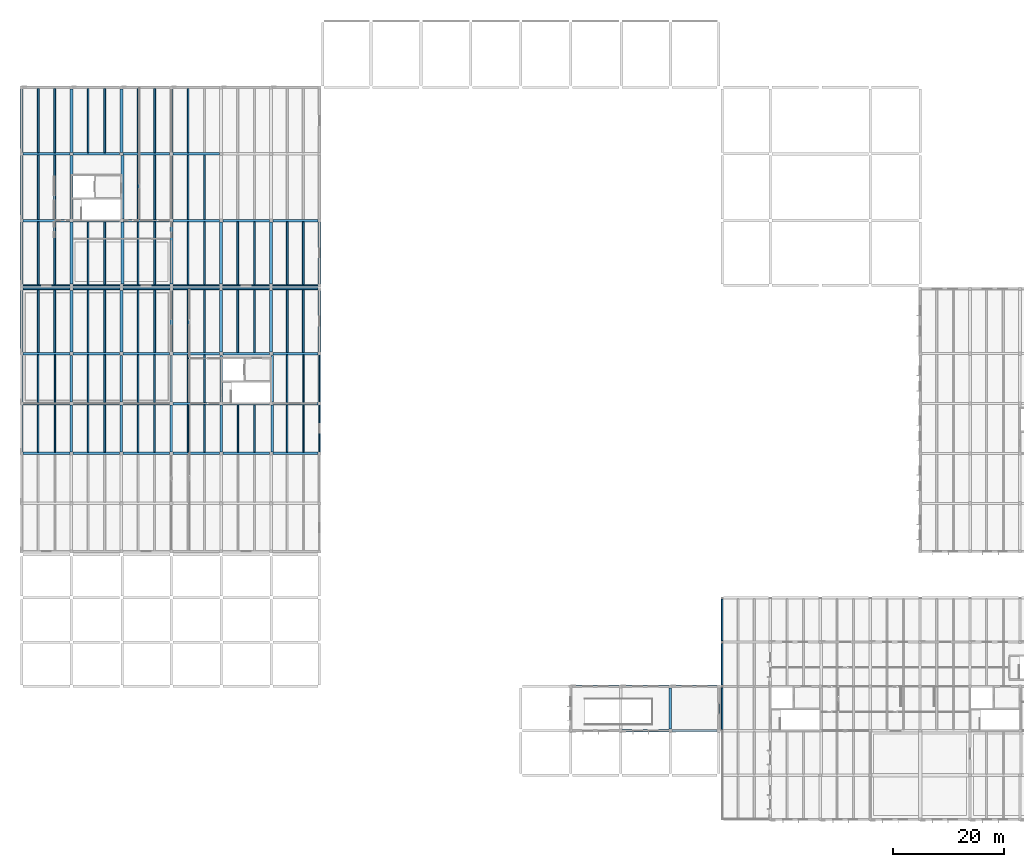
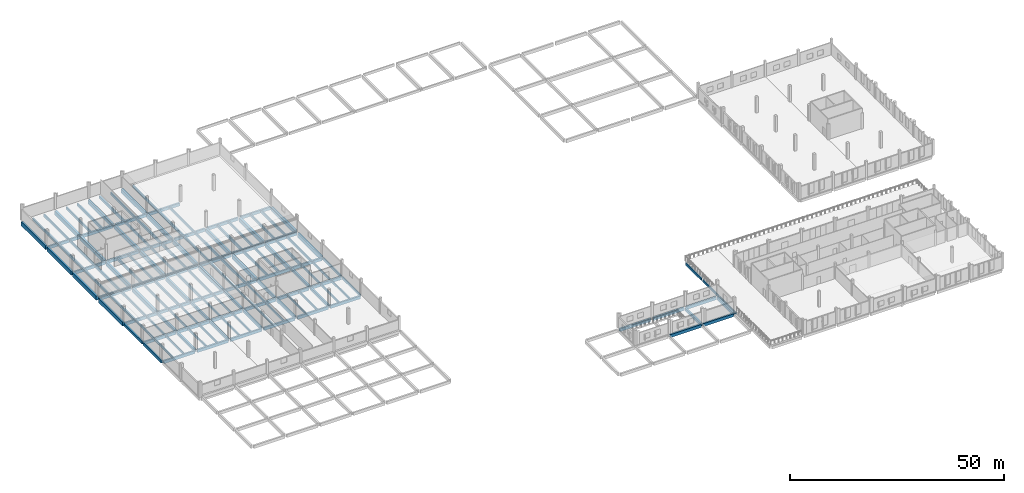
# One storey, part 4 of 25: 145 beams.
"""IFC4 building model written with IfcOpenShell, lengths in metres."""

from ifc_helpers import new_model, si_unit, direction, frame, origin, origin_2d, place, context, subcontext, project, spatial, rectangle, extrude, material, material_profile, profile_set, type_object, element, save


model = new_model("IFC4")

# Units and contexts
model_context = context("Model", 3, precision=1e-05, world=origin(), true_north=direction((0.0, 1.0)))
body_context = subcontext(model_context, "Body", "Model", "MODEL_VIEW")
ifc_project = project(units=[si_unit("LENGTHUNIT", "METRE"), si_unit("AREAUNIT", "SQUARE_METRE"), si_unit("VOLUMEUNIT", "CUBIC_METRE"), si_unit("PLANEANGLEUNIT", "RADIAN"), si_unit("MASSUNIT", "GRAM", prefix="KILO")], contexts=[model_context])

# Site, building, storey
site_placement = place(None, origin())
site = spatial("IfcSite", under=ifc_project, at=site_placement, CompositionType="ELEMENT")
building_placement = place(site_placement, origin())
building = spatial("IfcBuilding", under=site, at=building_placement, Name="Zacnel Wholesale Market", CompositionType="ELEMENT")
storey_placement = place(building_placement, frame((0.0, 0.0, 15.75)))
storey = spatial("IfcBuildingStorey", under=building, at=storey_placement, Name="L04", CompositionType="ELEMENT", Elevation=15.75)

# Beams
ifc_material_1 = material(Name="Precast concrete C45/55", Category="concrete")
ifc_material_profile_1 = material_profile(ifc_material_1, rectangle(XDim=0.280029296875, YDim=0.60009765625, at=origin_2d()), Name="DT RIB 280x600")
ifc_profile_set_1 = profile_set([ifc_material_profile_1], Name="Precast concrete C45/55")
beam_type_1 = type_object("IfcBeamType", Name="BM-DT600", PredefinedType="JOIST", material=ifc_profile_set_1)
for number, where, z_axis, x_axis, name in (
    (1, (21.0, 66.22509765625, -0.580078125), (0.0, 1.0, 0.0), (-1.0, 0.0, 0.0), "Precast secondary joist L04-0699"),
    (2, (24.0, 66.22509765625, -0.580078125), (0.0, 1.0, 0.0), (-1.0, 0.0, 0.0), "Precast secondary joist L04-0700"),
    (3, (30.0, 66.22509765625, -0.580078125), (0.0, 1.0, 0.0), (-1.0, 0.0, 0.0), "Precast secondary joist L04-0701"),
    (4, (33.0, 66.22509765625, -0.580078125), (0.0, 1.0, 0.0), (-1.0, 0.0, 0.0), "Precast secondary joist L04-0702"),
    (5, (39.0, 66.22509765625, -0.580078125), (0.0, 1.0, 0.0), (-1.0, 0.0, 0.0), "Precast secondary joist L04-0703"),
    (6, (42.0, 66.22509765625, -0.580078125), (0.0, 1.0, 0.0), (-1.0, 0.0, 0.0), "Precast secondary joist L04-0704"),
    (7, (48.0, 66.22509765625, -0.580078125), (0.0, 1.0, 0.0), (-1.0, 0.0, 0.0), "Precast secondary joist L04-0705"),
    (8, (51.0, 66.22509765625, -0.580078125), (0.0, 1.0, 0.0), (-1.0, 0.0, 0.0), "Precast secondary joist L04-0706"),
    (9, (57.0, 66.22509765625, -0.580078125), (0.0, 1.0, 0.0), (-1.0, 0.0, 0.0), "Precast secondary joist L04-0707"),
    (10, (60.0, 66.22509765625, -0.580078125), (0.0, 1.0, 0.0), (-1.0, 0.0, 0.0), "Precast secondary joist L04-0708"),
    (11, (65.89990234375, 66.22509765625, -0.580078125), (0.0, 1.0, 0.0), (-1.0, 0.0, 0.0), "Precast secondary joist L04-0709"),
    (12, (68.800048828125, 66.22509765625, -0.580078125), (0.0, 1.0, 0.0), (-1.0, 0.0, 0.0), "Precast secondary joist L04-0710"),
    (13, (21.0, 75.22509765625, -0.580078125), (0.0, 1.0, 0.0), (-1.0, 0.0, 0.0), "Precast secondary joist L04-0717"),
    (14, (24.0, 75.22509765625, -0.580078125), (0.0, 1.0, 0.0), (-1.0, 0.0, 0.0), "Precast secondary joist L04-0718"),
    (15, (30.0, 75.22509765625, -0.580078125), (0.0, 1.0, 0.0), (-1.0, 0.0, 0.0), "Precast secondary joist L04-0719"),
    (16, (33.0, 75.22509765625, -0.580078125), (0.0, 1.0, 0.0), (-1.0, 0.0, 0.0), "Precast secondary joist L04-0720"),
    (17, (39.0, 75.22509765625, -0.580078125), (0.0, 1.0, 0.0), (-1.0, 0.0, 0.0), "Precast secondary joist L04-0721"),
    (18, (42.0, 75.22509765625, -0.580078125), (0.0, 1.0, 0.0), (-1.0, 0.0, 0.0), "Precast secondary joist L04-0722"),
    (19, (48.0, 75.22509765625, -0.580078125), (0.0, 1.0, 0.0), (-1.0, 0.0, 0.0), "Precast secondary joist L04-0723"),
    (20, (51.0, 75.22509765625, -0.580078125), (0.0, 1.0, 0.0), (-1.0, 0.0, 0.0), "Precast secondary joist L04-0724"),
    (21, (65.89990234375, 75.22509765625, -0.580078125), (0.0, 1.0, 0.0), (-1.0, 0.0, 0.0), "Precast secondary joist L04-0725"),
    (22, (68.800048828125, 75.22509765625, -0.580078125), (0.0, 1.0, 0.0), (-1.0, 0.0, 0.0), "Precast secondary joist L04-0726"),
):
    element("IfcBeam", number, at=place(storey_placement, frame(where, z_axis=z_axis, x_axis=x_axis)), inside=storey, type_object=beam_type_1, Name=name, PredefinedType="JOIST", context=body_context, shape_type="SweptSolid", body=[
        extrude(rectangle(XDim=0.280029296875, YDim=0.60009765625, at=origin_2d()), origin(), (0.0, 0.0, 1.0), 8.5498046875),
    ])
ifc_material_2 = material(Name="Precast concrete C45/55", Category="concrete")
ifc_material_profile_2 = material_profile(ifc_material_2, rectangle(XDim=0.320068359375, YDim=0.75, at=origin_2d()), Name="DT RIB 320x750")
ifc_profile_set_2 = profile_set([ifc_material_profile_2], Name="Precast concrete C45/55")
beam_type_2 = type_object("IfcBeamType", Name="BM-DT750", PredefinedType="JOIST", material=ifc_profile_set_2)
for number, where, z_axis, x_axis, name in (
    (23, (21.0, 84.22509765625, -0.655029296875), (0.0, 1.0, 0.0), (-1.0, 0.0, 0.0), "Precast secondary joist L04-0735"),
    (24, (24.0, 84.22509765625, -0.655029296875), (0.0, 1.0, 0.0), (-1.0, 0.0, 0.0), "Precast secondary joist L04-0736"),
    (25, (30.0, 84.22509765625, -0.655029296875), (0.0, 1.0, 0.0), (-1.0, 0.0, 0.0), "Precast secondary joist L04-0737"),
    (26, (33.0, 84.22509765625, -0.655029296875), (0.0, 1.0, 0.0), (-1.0, 0.0, 0.0), "Precast secondary joist L04-0738"),
    (27, (39.0, 84.22509765625, -0.655029296875), (0.0, 1.0, 0.0), (-1.0, 0.0, 0.0), "Precast secondary joist L04-0739"),
    (28, (42.0, 84.22509765625, -0.655029296875), (0.0, 1.0, 0.0), (-1.0, 0.0, 0.0), "Precast secondary joist L04-0740"),
    (29, (48.0, 84.22509765625, -0.655029296875), (0.0, 1.0, 0.0), (-1.0, 0.0, 0.0), "Precast secondary joist L04-0741"),
    (30, (51.0, 84.22509765625, -0.655029296875), (0.0, 1.0, 0.0), (-1.0, 0.0, 0.0), "Precast secondary joist L04-0742"),
    (31, (57.0, 84.22509765625, -0.655029296875), (0.0, 1.0, 0.0), (-1.0, 0.0, 0.0), "Precast secondary joist L04-0743"),
    (32, (60.0, 84.22509765625, -0.655029296875), (0.0, 1.0, 0.0), (-1.0, 0.0, 0.0), "Precast secondary joist L04-0744"),
    (33, (65.89990234375, 84.22509765625, -0.655029296875), (0.0, 1.0, 0.0), (-1.0, 0.0, 0.0), "Precast secondary joist L04-0745"),
    (34, (68.800048828125, 84.22509765625, -0.655029296875), (0.0, 1.0, 0.0), (-1.0, 0.0, 0.0), "Precast secondary joist L04-0746"),
    (35, (21.0, 96.449951171875, -0.655029296875), (0.0, 1.0, 0.0), (-1.0, 0.0, 0.0), "Precast secondary joist L04-0755"),
    (36, (24.0, 96.449951171875, -0.655029296875), (0.0, 1.0, 0.0), (-1.0, 0.0, 0.0), "Precast secondary joist L04-0756"),
    (37, (30.0, 96.449951171875, -0.655029296875), (0.0, 1.0, 0.0), (-1.0, 0.0, 0.0), "Precast secondary joist L04-0757"),
    (38, (33.0, 96.449951171875, -0.655029296875), (0.0, 1.0, 0.0), (-1.0, 0.0, 0.0), "Precast secondary joist L04-0758"),
    (39, (39.0, 96.449951171875, -0.655029296875), (0.0, 1.0, 0.0), (-1.0, 0.0, 0.0), "Precast secondary joist L04-0759"),
    (40, (42.0, 96.449951171875, -0.655029296875), (0.0, 1.0, 0.0), (-1.0, 0.0, 0.0), "Precast secondary joist L04-0760"),
    (41, (48.0, 96.449951171875, -0.655029296875), (0.0, 1.0, 0.0), (-1.0, 0.0, 0.0), "Precast secondary joist L04-0761"),
    (42, (51.0, 96.449951171875, -0.655029296875), (0.0, 1.0, 0.0), (-1.0, 0.0, 0.0), "Precast secondary joist L04-0762"),
    (43, (57.0, 96.449951171875, -0.655029296875), (0.0, 1.0, 0.0), (-1.0, 0.0, 0.0), "Precast secondary joist L04-0763"),
    (44, (60.0, 96.449951171875, -0.655029296875), (0.0, 1.0, 0.0), (-1.0, 0.0, 0.0), "Precast secondary joist L04-0764"),
    (45, (65.89990234375, 96.449951171875, -0.655029296875), (0.0, 1.0, 0.0), (-1.0, 0.0, 0.0), "Precast secondary joist L04-0765"),
    (46, (68.800048828125, 96.449951171875, -0.655029296875), (0.0, 1.0, 0.0), (-1.0, 0.0, 0.0), "Precast secondary joist L04-0766"),
):
    element("IfcBeam", number, at=place(storey_placement, frame(where, z_axis=z_axis, x_axis=x_axis)), inside=storey, type_object=beam_type_2, Name=name, PredefinedType="JOIST", context=body_context, shape_type="SweptSolid", body=[
        extrude(rectangle(XDim=0.320068359375, YDim=0.75, at=origin_2d()), origin(), (0.0, 0.0, 1.0), 11.324951171875),
    ])
for number, where, z_axis, x_axis, name in (
    (47, (21.0, 108.22509765625, -0.655029296875), (0.0, 1.0, 0.0), (-1.0, 0.0, 0.0), "Precast secondary joist L04-0767"),
    (48, (24.0, 108.22509765625, -0.655029296875), (0.0, 1.0, 0.0), (-1.0, 0.0, 0.0), "Precast secondary joist L04-0768"),
    (49, (39.0, 108.22509765625, -0.655029296875), (0.0, 1.0, 0.0), (-1.0, 0.0, 0.0), "Precast secondary joist L04-0769"),
    (50, (42.0, 108.22509765625, -0.655029296875), (0.0, 1.0, 0.0), (-1.0, 0.0, 0.0), "Precast secondary joist L04-0770"),
    (51, (48.0, 108.22509765625, -0.655029296875), (0.0, 1.0, 0.0), (-1.0, 0.0, 0.0), "Precast secondary joist L04-0771"),
    (52, (51.0, 108.22509765625, -0.655029296875), (0.0, 1.0, 0.0), (-1.0, 0.0, 0.0), "Precast secondary joist L04-0772"),
    (53, (21.0, 120.22509765625, -0.655029296875), (0.0, 1.0, 0.0), (-1.0, 0.0, 0.0), "Precast secondary joist L04-0777"),
    (54, (24.0, 120.22509765625, -0.655029296875), (0.0, 1.0, 0.0), (-1.0, 0.0, 0.0), "Precast secondary joist L04-0778"),
    (55, (30.0, 120.22509765625, -0.655029296875), (0.0, 1.0, 0.0), (-1.0, 0.0, 0.0), "Precast secondary joist L04-0779"),
    (56, (33.0, 120.22509765625, -0.655029296875), (0.0, 1.0, 0.0), (-1.0, 0.0, 0.0), "Precast secondary joist L04-0780"),
    (57, (39.0, 120.22509765625, -0.655029296875), (0.0, 1.0, 0.0), (-1.0, 0.0, 0.0), "Precast secondary joist L04-0781"),
    (58, (42.0, 120.22509765625, -0.655029296875), (0.0, 1.0, 0.0), (-1.0, 0.0, 0.0), "Precast secondary joist L04-0782"),
    (59, (48.0, 120.22509765625, -0.655029296875), (0.0, 1.0, 0.0), (-1.0, 0.0, 0.0), "Precast secondary joist L04-0783"),
):
    element("IfcBeam", number, at=place(storey_placement, frame(where, z_axis=z_axis, x_axis=x_axis)), inside=storey, type_object=beam_type_2, Name=name, PredefinedType="JOIST", context=body_context, shape_type="SweptSolid", body=[
        extrude(rectangle(XDim=0.320068359375, YDim=0.75, at=origin_2d()), origin(), (0.0, 0.0, 1.0), 11.5498046875),
    ])
ifc_material_3 = material(Name="Precast concrete C45/55", Category="concrete")
ifc_material_profile_3 = material_profile(ifc_material_3, rectangle(XDim=0.550048828125, YDim=1.14990234375, at=origin_2d()), Name="PG 550x1150")
ifc_profile_set_3 = profile_set([ifc_material_profile_3], Name="Precast concrete C45/55")
beam_type_3 = type_object("IfcBeamType", Name="BM-PG1150", PredefinedType="T_BEAM", material=ifc_profile_set_3)
for number, where, z_axis, x_axis, name in (
    (60, (18.0, 84.300048828125, -0.85498046875), (0.0, 1.0, 0.0), (-1.0, 0.0, 0.0), "Precast girder Y-1182"),
    (61, (18.0, 96.574951171875, -0.85498046875), (0.0, 1.0, 0.0), (-1.0, 0.0, 0.0), "Precast girder Y-1183"),
):
    element("IfcBeam", number, at=place(storey_placement, frame(where, z_axis=z_axis, x_axis=x_axis)), inside=storey, type_object=beam_type_3, Name=name, PredefinedType="T_BEAM", context=body_context, shape_type="SweptSolid", body=[
        extrude(rectangle(XDim=0.550048828125, YDim=1.14990234375, at=origin_2d()), origin(), (0.0, 0.0, 1.0), 11.125),
    ])
for number, where, z_axis, x_axis, name in (
    (62, (18.0, 108.300048828125, -0.85498046875), (0.0, 1.0, 0.0), (-1.0, 0.0, 0.0), "Precast girder Y-1184"),
    (63, (18.0, 120.300048828125, -0.85498046875), (0.0, 1.0, 0.0), (-1.0, 0.0, 0.0), "Precast girder Y-1185"),
):
    element("IfcBeam", number, at=place(storey_placement, frame(where, z_axis=z_axis, x_axis=x_axis)), inside=storey, type_object=beam_type_3, Name=name, PredefinedType="T_BEAM", context=body_context, shape_type="SweptSolid", body=[
        extrude(rectangle(XDim=0.550048828125, YDim=1.14990234375, at=origin_2d()), origin(), (0.0, 0.0, 1.0), 11.39990234375),
    ])
for number, where, z_axis, x_axis, name in (
    (64, (27.0, 84.300048828125, -0.85498046875), (0.0, 1.0, 0.0), (-1.0, 0.0, 0.0), "Precast girder Y-1193"),
    (65, (27.0, 96.574951171875, -0.85498046875), (0.0, 1.0, 0.0), (-1.0, 0.0, 0.0), "Precast girder Y-1194"),
):
    element("IfcBeam", number, at=place(storey_placement, frame(where, z_axis=z_axis, x_axis=x_axis)), inside=storey, type_object=beam_type_3, Name=name, PredefinedType="T_BEAM", context=body_context, shape_type="SweptSolid", body=[
        extrude(rectangle(XDim=0.550048828125, YDim=1.14990234375, at=origin_2d()), origin(), (0.0, 0.0, 1.0), 11.125),
    ])
for number, where, z_axis, x_axis, name in (
    (66, (27.0, 108.300048828125, -0.85498046875), (0.0, 1.0, 0.0), (-1.0, 0.0, 0.0), "Precast girder Y-1195"),
    (67, (27.0, 120.300048828125, -0.85498046875), (0.0, 1.0, 0.0), (-1.0, 0.0, 0.0), "Precast girder Y-1196"),
):
    element("IfcBeam", number, at=place(storey_placement, frame(where, z_axis=z_axis, x_axis=x_axis)), inside=storey, type_object=beam_type_3, Name=name, PredefinedType="T_BEAM", context=body_context, shape_type="SweptSolid", body=[
        extrude(rectangle(XDim=0.550048828125, YDim=1.14990234375, at=origin_2d()), origin(), (0.0, 0.0, 1.0), 11.39990234375),
    ])
for number, where, z_axis, x_axis, name in (
    (68, (36.0, 84.300048828125, -0.85498046875), (0.0, 1.0, 0.0), (-1.0, 0.0, 0.0), "Precast girder Y-1204"),
    (69, (36.179931640625, 96.574951171875, -0.85498046875), (0.0, 1.0, 0.0), (-1.0, 0.0, 0.0), "Precast girder Y-1205"),
):
    element("IfcBeam", number, at=place(storey_placement, frame(where, z_axis=z_axis, x_axis=x_axis)), inside=storey, type_object=beam_type_3, Name=name, PredefinedType="T_BEAM", context=body_context, shape_type="SweptSolid", body=[
        extrude(rectangle(XDim=0.550048828125, YDim=1.14990234375, at=origin_2d()), origin(), (0.0, 0.0, 1.0), 11.125),
    ])
for number, where, z_axis, x_axis, name in (
    (70, (36.179931640625, 108.300048828125, -0.85498046875), (0.0, 1.0, 0.0), (-1.0, 0.0, 0.0), "Precast girder Y-1206"),
    (71, (36.0, 120.300048828125, -0.85498046875), (0.0, 1.0, 0.0), (-1.0, 0.0, 0.0), "Precast girder Y-1207"),
):
    element("IfcBeam", number, at=place(storey_placement, frame(where, z_axis=z_axis, x_axis=x_axis)), inside=storey, type_object=beam_type_3, Name=name, PredefinedType="T_BEAM", context=body_context, shape_type="SweptSolid", body=[
        extrude(rectangle(XDim=0.550048828125, YDim=1.14990234375, at=origin_2d()), origin(), (0.0, 0.0, 1.0), 11.39990234375),
    ])
for number, where, z_axis, x_axis, name in (
    (72, (45.0, 84.300048828125, -0.85498046875), (0.0, 1.0, 0.0), (-1.0, 0.0, 0.0), "Precast girder Y-1215"),
    (73, (45.0, 96.574951171875, -0.85498046875), (0.0, 1.0, 0.0), (-1.0, 0.0, 0.0), "Precast girder Y-1216"),
):
    element("IfcBeam", number, at=place(storey_placement, frame(where, z_axis=z_axis, x_axis=x_axis)), inside=storey, type_object=beam_type_3, Name=name, PredefinedType="T_BEAM", context=body_context, shape_type="SweptSolid", body=[
        extrude(rectangle(XDim=0.550048828125, YDim=1.14990234375, at=origin_2d()), origin(), (0.0, 0.0, 1.0), 11.125),
    ])
for number, where, z_axis, x_axis, name in (
    (74, (45.0, 108.300048828125, -0.85498046875), (0.0, 1.0, 0.0), (-1.0, 0.0, 0.0), "Precast girder Y-1217"),
    (75, (45.0, 120.300048828125, -0.85498046875), (0.0, 1.0, 0.0), (-1.0, 0.0, 0.0), "Precast girder Y-1218"),
):
    element("IfcBeam", number, at=place(storey_placement, frame(where, z_axis=z_axis, x_axis=x_axis)), inside=storey, type_object=beam_type_3, Name=name, PredefinedType="T_BEAM", context=body_context, shape_type="SweptSolid", body=[
        extrude(rectangle(XDim=0.550048828125, YDim=1.14990234375, at=origin_2d()), origin(), (0.0, 0.0, 1.0), 11.39990234375),
    ])
for number, where, z_axis, x_axis, name in (
    (76, (54.0, 84.300048828125, -0.85498046875), (0.0, 1.0, 0.0), (-1.0, 0.0, 0.0), "Precast girder Y-1226"),
    (77, (54.0, 96.574951171875, -0.85498046875), (0.0, 1.0, 0.0), (-1.0, 0.0, 0.0), "Precast girder Y-1227"),
    (78, (63.0, 84.300048828125, -0.85498046875), (0.0, 1.0, 0.0), (-1.0, 0.0, 0.0), "Precast girder Y-1237"),
    (79, (63.0, 96.574951171875, -0.85498046875), (0.0, 1.0, 0.0), (-1.0, 0.0, 0.0), "Precast girder Y-1238"),
):
    element("IfcBeam", number, at=place(storey_placement, frame(where, z_axis=z_axis, x_axis=x_axis)), inside=storey, type_object=beam_type_3, Name=name, PredefinedType="T_BEAM", context=body_context, shape_type="SweptSolid", body=[
        extrude(rectangle(XDim=0.550048828125, YDim=1.14990234375, at=origin_2d()), origin(), (0.0, 0.0, 1.0), 11.125),
    ])
for number, where, z_axis, x_axis, name in (
    (80, (71.699951171875, 84.27490234375, -0.85498046875), (0.0, 1.0, 0.0), (-1.0, 0.0, 0.0), "Precast girder Y-1248"),
    (81, (71.699951171875, 96.574951171875, -0.85498046875), (0.0, 1.0, 0.0), (-1.0, 0.0, 0.0), "Precast girder Y-1249"),
):
    element("IfcBeam", number, at=place(storey_placement, frame(where, z_axis=z_axis, x_axis=x_axis)), inside=storey, type_object=beam_type_3, Name=name, PredefinedType="T_BEAM", context=body_context, shape_type="SweptSolid", body=[
        extrude(rectangle(XDim=0.550048828125, YDim=1.14990234375, at=origin_2d()), origin(), (0.0, 0.0, 1.0), 11.150146484375),
    ])
ifc_material_4 = material(Name="Precast concrete C45/55", Category="concrete")
ifc_material_profile_4 = material_profile(ifc_material_4, rectangle(XDim=0.449951171875, YDim=0.800048828125, at=origin_2d()), Name="PG 450x800")
ifc_profile_set_4 = profile_set([ifc_material_profile_4], Name="Precast concrete C45/55")
beam_type_4 = type_object("IfcBeamType", Name="BM-PG800", PredefinedType="BEAM", material=ifc_profile_set_4)
for number, where, z_axis, x_axis, name in (
    (82, (18.0, 66.300048828125, -0.679931640625), (0.0, 1.0, 0.0), (-1.0, 0.0, 0.0), "Precast girder Y-1180"),
    (83, (18.0, 75.300048828125, -0.679931640625), (0.0, 1.0, 0.0), (-1.0, 0.0, 0.0), "Precast girder Y-1181"),
    (84, (27.0, 66.300048828125, -0.679931640625), (0.0, 1.0, 0.0), (-1.0, 0.0, 0.0), "Precast girder Y-1191"),
    (85, (27.0, 75.300048828125, -0.679931640625), (0.0, 1.0, 0.0), (-1.0, 0.0, 0.0), "Precast girder Y-1192"),
    (86, (36.0, 66.300048828125, -0.679931640625), (0.0, 1.0, 0.0), (-1.0, 0.0, 0.0), "Precast girder Y-1202"),
    (87, (36.0, 75.300048828125, -0.679931640625), (0.0, 1.0, 0.0), (-1.0, 0.0, 0.0), "Precast girder Y-1203"),
    (88, (45.0, 66.300048828125, -0.679931640625), (0.0, 1.0, 0.0), (-1.0, 0.0, 0.0), "Precast girder Y-1213"),
    (89, (45.0, 75.300048828125, -0.679931640625), (0.0, 1.0, 0.0), (-1.0, 0.0, 0.0), "Precast girder Y-1214"),
    (90, (54.0, 66.300048828125, -0.679931640625), (0.0, 1.0, 0.0), (-1.0, 0.0, 0.0), "Precast girder Y-1224"),
    (91, (54.0, 75.300048828125, -0.679931640625), (0.0, 1.0, 0.0), (-1.0, 0.0, 0.0), "Precast girder Y-1225"),
    (92, (63.179931640625, 66.300048828125, -0.679931640625), (0.0, 1.0, 0.0), (-1.0, 0.0, 0.0), "Precast girder Y-1235"),
    (93, (63.179931640625, 75.300048828125, -0.679931640625), (0.0, 1.0, 0.0), (-1.0, 0.0, 0.0), "Precast girder Y-1236"),
):
    element("IfcBeam", number, at=place(storey_placement, frame(where, z_axis=z_axis, x_axis=x_axis)), inside=storey, type_object=beam_type_4, Name=name, PredefinedType="BEAM", context=body_context, shape_type="SweptSolid", body=[
        extrude(rectangle(XDim=0.449951171875, YDim=0.800048828125, at=origin_2d()), origin(), (0.0, 0.0, 1.0), 8.39990234375),
    ])
ifc_material_5 = material(Name="Precast concrete C45/55", Category="concrete")
ifc_material_profile_5 = material_profile(ifc_material_5, rectangle(XDim=0.449951171875, YDim=0.85009765625, at=origin_2d()), Name="PG 450x850")
ifc_profile_set_5 = profile_set([ifc_material_profile_5], Name="Precast concrete C45/55")
beam_type_5 = type_object("IfcBeamType", Name="BM-PG850", PredefinedType="BEAM", material=ifc_profile_set_5)
for number, where, z_axis, x_axis, name in (
    (94, (18.300048828125, 66.0, -0.705078125), (1.0, 0.0, 0.0), (0.0, 1.0, 0.0), "Precast girder X-1095"),
    (95, (27.300048828125, 66.0, -0.705078125), (1.0, 0.0, 0.0), (0.0, 1.0, 0.0), "Precast girder X-1096"),
    (96, (36.300048828125, 66.0, -0.705078125), (1.0, 0.0, 0.0), (0.0, 1.0, 0.0), "Precast girder X-1097"),
    (97, (45.300048828125, 66.0, -0.705078125), (1.0, 0.0, 0.0), (0.0, 1.0, 0.0), "Precast girder X-1098"),
    (98, (54.300048828125, 66.0, -0.705078125), (1.0, 0.0, 0.0), (0.0, 1.0, 0.0), "Precast girder X-1099"),
):
    element("IfcBeam", number, at=place(storey_placement, frame(where, z_axis=z_axis, x_axis=x_axis)), inside=storey, type_object=beam_type_5, Name=name, PredefinedType="BEAM", context=body_context, shape_type="SweptSolid", body=[
        extrude(rectangle(XDim=0.449951171875, YDim=0.85009765625, at=origin_2d()), origin(), (0.0, 0.0, 1.0), 8.39990234375),
    ])
beam_1_placement = place(storey_placement, frame((63.300048828125, 66.0, -0.705078125), z_axis=(1.0, 0.0, 0.0), x_axis=(0.0, 1.0, 0.0)))
element("IfcBeam", 99, at=beam_1_placement, inside=storey, type_object=beam_type_5, Name="Precast girder X-1100", PredefinedType="BEAM", context=body_context, shape_type="SweptSolid", body=[
    extrude(rectangle(XDim=0.449951171875, YDim=0.85009765625, at=origin_2d()), origin(), (0.0, 0.0, 1.0), 8.125),
])
for number, where, z_axis, x_axis, name in (
    (100, (18.300048828125, 75.0, -0.705078125), (1.0, 0.0, 0.0), (0.0, 1.0, 0.0), "Precast girder X-1105"),
    (101, (27.300048828125, 75.0, -0.705078125), (1.0, 0.0, 0.0), (0.0, 1.0, 0.0), "Precast girder X-1106"),
    (102, (36.300048828125, 75.0, -0.705078125), (1.0, 0.0, 0.0), (0.0, 1.0, 0.0), "Precast girder X-1107"),
    (103, (45.300048828125, 75.0, -0.705078125), (1.0, 0.0, 0.0), (0.0, 1.0, 0.0), "Precast girder X-1108"),
    (104, (54.300048828125, 75.0, -0.705078125), (1.0, 0.0, 0.0), (0.0, 1.0, 0.0), "Precast girder X-1109"),
):
    element("IfcBeam", number, at=place(storey_placement, frame(where, z_axis=z_axis, x_axis=x_axis)), inside=storey, type_object=beam_type_5, Name=name, PredefinedType="BEAM", context=body_context, shape_type="SweptSolid", body=[
        extrude(rectangle(XDim=0.449951171875, YDim=0.85009765625, at=origin_2d()), origin(), (0.0, 0.0, 1.0), 8.39990234375),
    ])
beam_2_placement = place(storey_placement, frame((63.300048828125, 75.0, -0.705078125), z_axis=(1.0, 0.0, 0.0), x_axis=(0.0, 1.0, 0.0)))
element("IfcBeam", 105, at=beam_2_placement, inside=storey, type_object=beam_type_5, Name="Precast girder X-1110", PredefinedType="BEAM", context=body_context, shape_type="SweptSolid", body=[
    extrude(rectangle(XDim=0.449951171875, YDim=0.85009765625, at=origin_2d()), origin(), (0.0, 0.0, 1.0), 8.125),
])
for number, where, z_axis, x_axis, name in (
    (106, (18.300048828125, 84.0, -0.705078125), (1.0, 0.0, 0.0), (0.0, 1.0, 0.0), "Precast girder X-1115"),
    (107, (27.300048828125, 84.0, -0.705078125), (1.0, 0.0, 0.0), (0.0, 1.0, 0.0), "Precast girder X-1116"),
    (108, (36.300048828125, 84.0, -0.705078125), (1.0, 0.0, 0.0), (0.0, 1.0, 0.0), "Precast girder X-1117"),
    (109, (45.300048828125, 84.0, -0.705078125), (1.0, 0.0, 0.0), (0.0, 1.0, 0.0), "Precast girder X-1118"),
    (110, (54.300048828125, 84.0, -0.705078125), (1.0, 0.0, 0.0), (0.0, 1.0, 0.0), "Precast girder X-1119"),
):
    element("IfcBeam", number, at=place(storey_placement, frame(where, z_axis=z_axis, x_axis=x_axis)), inside=storey, type_object=beam_type_5, Name=name, PredefinedType="BEAM", context=body_context, shape_type="SweptSolid", body=[
        extrude(rectangle(XDim=0.449951171875, YDim=0.85009765625, at=origin_2d()), origin(), (0.0, 0.0, 1.0), 8.39990234375),
    ])
beam_3_placement = place(storey_placement, frame((63.300048828125, 84.0, -0.705078125), z_axis=(1.0, 0.0, 0.0), x_axis=(0.0, 1.0, 0.0)))
element("IfcBeam", 111, at=beam_3_placement, inside=storey, type_object=beam_type_5, Name="Precast girder X-1120", PredefinedType="BEAM", context=body_context, shape_type="SweptSolid", body=[
    extrude(rectangle(XDim=0.449951171875, YDim=0.85009765625, at=origin_2d()), origin(), (0.0, 0.0, 1.0), 8.125),
])
for number, where, z_axis, x_axis, name in (
    (112, (18.300048828125, 108.0, -0.705078125), (1.0, 0.0, 0.0), (0.0, 1.0, 0.0), "Precast girder X-1141"),
    (113, (27.300048828125, 108.0, -0.705078125), (1.0, 0.0, 0.0), (0.0, 1.0, 0.0), "Precast girder X-1142"),
    (114, (36.300048828125, 108.0, -0.705078125), (1.0, 0.0, 0.0), (0.0, 1.0, 0.0), "Precast girder X-1143"),
    (115, (45.300048828125, 108.0, -0.705078125), (1.0, 0.0, 0.0), (0.0, 1.0, 0.0), "Precast girder X-1144"),
    (116, (54.300048828125, 108.0, -0.705078125), (1.0, 0.0, 0.0), (0.0, 1.0, 0.0), "Precast girder X-1145"),
):
    element("IfcBeam", number, at=place(storey_placement, frame(where, z_axis=z_axis, x_axis=x_axis)), inside=storey, type_object=beam_type_5, Name=name, PredefinedType="BEAM", context=body_context, shape_type="SweptSolid", body=[
        extrude(rectangle(XDim=0.449951171875, YDim=0.85009765625, at=origin_2d()), origin(), (0.0, 0.0, 1.0), 8.39990234375),
    ])
beam_4_placement = place(storey_placement, frame((63.300048828125, 108.0, -0.705078125), z_axis=(1.0, 0.0, 0.0), x_axis=(0.0, 1.0, 0.0)))
element("IfcBeam", 117, at=beam_4_placement, inside=storey, type_object=beam_type_5, Name="Precast girder X-1146", PredefinedType="BEAM", context=body_context, shape_type="SweptSolid", body=[
    extrude(rectangle(XDim=0.449951171875, YDim=0.85009765625, at=origin_2d()), origin(), (0.0, 0.0, 1.0), 8.125),
])
for number, where, z_axis, x_axis, name in (
    (118, (18.300048828125, 120.0, -0.705078125), (1.0, 0.0, 0.0), (0.0, 1.0, 0.0), "Precast girder X-1147"),
    (119, (27.300048828125, 120.0, -0.705078125), (1.0, 0.0, 0.0), (0.0, 1.0, 0.0), "Precast girder X-1148"),
    (120, (36.300048828125, 120.0, -0.705078125), (1.0, 0.0, 0.0), (0.0, 1.0, 0.0), "Precast girder X-1149"),
    (121, (45.300048828125, 120.0, -0.705078125), (1.0, 0.0, 0.0), (0.0, 1.0, 0.0), "Precast girder X-1150"),
    (122, (126.300048828125, 16.0, -0.72509765625), (1.0, 0.0, 0.0), (0.0, 1.0, 0.0), "Precast wing girder X V4EL3-007"),
):
    element("IfcBeam", number, at=place(storey_placement, frame(where, z_axis=z_axis, x_axis=x_axis)), inside=storey, type_object=beam_type_5, Name=name, PredefinedType="BEAM", context=body_context, shape_type="SweptSolid", body=[
        extrude(rectangle(XDim=0.449951171875, YDim=0.85009765625, at=origin_2d()), origin(), (0.0, 0.0, 1.0), 8.39990234375),
    ])
beam_5_placement = place(storey_placement, frame((135.300048828125, 16.0, -0.72509765625), z_axis=(1.0, 0.0, 0.0), x_axis=(0.0, 1.0, 0.0)))
element("IfcBeam", 123, at=beam_5_placement, inside=storey, type_object=beam_type_5, Name="Precast wing girder X V4EL3-008", PredefinedType="BEAM", context=body_context, shape_type="SweptSolid", body=[
    extrude(rectangle(XDim=0.449951171875, YDim=0.85009765625, at=origin_2d()), origin(), (0.0, 0.0, 1.0), 8.099853515625),
])
for number, where, z_axis, x_axis, name in (
    (124, (117.300048828125, 24.0, -0.72509765625), (1.0, 0.0, 0.0), (0.0, 1.0, 0.0), "Precast wing girder X V4EL3-010"),
    (125, (126.300048828125, 24.0, -0.72509765625), (1.0, 0.0, 0.0), (0.0, 1.0, 0.0), "Precast wing girder X V4EL3-011"),
):
    element("IfcBeam", number, at=place(storey_placement, frame(where, z_axis=z_axis, x_axis=x_axis)), inside=storey, type_object=beam_type_5, Name=name, PredefinedType="BEAM", context=body_context, shape_type="SweptSolid", body=[
        extrude(rectangle(XDim=0.449951171875, YDim=0.85009765625, at=origin_2d()), origin(), (0.0, 0.0, 1.0), 8.39990234375),
    ])
beam_6_placement = place(storey_placement, frame((135.300048828125, 24.0, -0.72509765625), z_axis=(1.0, 0.0, 0.0), x_axis=(0.0, 1.0, 0.0)))
element("IfcBeam", 126, at=beam_6_placement, inside=storey, type_object=beam_type_5, Name="Precast wing girder X V4EL3-012", PredefinedType="BEAM", context=body_context, shape_type="SweptSolid", body=[
    extrude(rectangle(XDim=0.449951171875, YDim=0.85009765625, at=origin_2d()), origin(), (0.0, 0.0, 1.0), 8.099853515625),
])
for number, where, z_axis, x_axis, name in (
    (127, (135.0, 16.300048828125, -0.72509765625), (0.0, 1.0, 0.0), (-1.0, 0.0, 0.0), "Precast wing girder Y V4EL3-020"),
    (128, (143.699951171875, 16.300048828125, -0.72509765625), (0.0, 1.0, 0.0), (-1.0, 0.0, 0.0), "Precast wing girder Y V4EL3-022"),
):
    element("IfcBeam", number, at=place(storey_placement, frame(where, z_axis=z_axis, x_axis=x_axis)), inside=storey, type_object=beam_type_5, Name=name, PredefinedType="BEAM", context=body_context, shape_type="SweptSolid", body=[
        extrude(rectangle(XDim=0.449951171875, YDim=0.85009765625, at=origin_2d()), origin(), (0.0, 0.0, 1.0), 7.39990234375),
    ])
ifc_material_6 = material(Name="Precast concrete C45/55", Category="concrete")
ifc_material_profile_6 = material_profile(ifc_material_6, rectangle(XDim=0.280029296875, YDim=0.679931640625, at=origin_2d()), Name="SP 280x680")
ifc_profile_set_6 = profile_set([ifc_material_profile_6], Name="Precast concrete C45/55")
beam_type_6 = type_object("IfcBeamType", Name="BM-SP680", PredefinedType="SPANDREL", material=ifc_profile_set_6)
for number, where, z_axis, x_axis, name in (
    (129, (71.699951171875, 66.27490234375, -0.6201171875), (0.0, 1.0, 0.0), (-1.0, 0.0, 0.0), "Precast girder Y-1246"),
    (130, (71.699951171875, 75.27490234375, -0.6201171875), (0.0, 1.0, 0.0), (-1.0, 0.0, 0.0), "Precast girder Y-1247"),
):
    element("IfcBeam", number, at=place(storey_placement, frame(where, z_axis=z_axis, x_axis=x_axis)), inside=storey, type_object=beam_type_6, Name=name, PredefinedType="SPANDREL", context=body_context, shape_type="SweptSolid", body=[
        extrude(rectangle(XDim=0.280029296875, YDim=0.679931640625, at=origin_2d()), origin(), (0.0, 0.0, 1.0), 8.4501953125),
    ])
for number, where, z_axis, x_axis, name in (
    (131, (144.300048828125, 16.27490234375, -0.760009765625), (0.0, 1.0, 0.0), (-1.0, 0.0, 0.0), "Precast girder Y-1263"),
    (132, (144.300048828125, 24.27490234375, -0.760009765625), (0.0, 1.0, 0.0), (-1.0, 0.0, 0.0), "Precast girder Y-1264"),
    (133, (144.300048828125, 32.27490234375, -0.760009765625), (0.0, 1.0, 0.0), (-1.0, 0.0, 0.0), "Precast girder Y-1265"),
):
    element("IfcBeam", number, at=place(storey_placement, frame(where, z_axis=z_axis, x_axis=x_axis)), inside=storey, type_object=beam_type_6, Name=name, PredefinedType="SPANDREL", context=body_context, shape_type="SweptSolid", body=[
        extrude(rectangle(XDim=0.280029296875, YDim=0.679931640625, at=origin_2d()), origin(), (0.0, 0.0, 1.0), 7.4501953125),
    ])
ifc_material_7 = material(Name="Precast concrete C45/55", Category="concrete")
ifc_material_profile_7 = material_profile(ifc_material_7, rectangle(XDim=0.300048828125, YDim=0.75, at=origin_2d()), Name="SP 300x750")
ifc_profile_set_7 = profile_set([ifc_material_profile_7], Name="Precast concrete C45/55")
beam_type_7 = type_object("IfcBeamType", Name="BM-SP750", PredefinedType="SPANDREL", material=ifc_profile_set_7)
for number, where, z_axis, x_axis, name in (
    (134, (18.27490234375, 95.699951171875, -0.655029296875), (1.0, 0.0, 0.0), (0.0, 1.0, 0.0), "Precast girder X-1125"),
    (135, (27.27490234375, 95.699951171875, -0.655029296875), (1.0, 0.0, 0.0), (0.0, 1.0, 0.0), "Precast girder X-1126"),
    (136, (36.27490234375, 95.699951171875, -0.655029296875), (1.0, 0.0, 0.0), (0.0, 1.0, 0.0), "Precast girder X-1127"),
    (137, (45.27490234375, 95.699951171875, -0.655029296875), (1.0, 0.0, 0.0), (0.0, 1.0, 0.0), "Precast girder X-1128"),
    (138, (54.27490234375, 95.699951171875, -0.655029296875), (1.0, 0.0, 0.0), (0.0, 1.0, 0.0), "Precast girder X-1129"),
):
    element("IfcBeam", number, at=place(storey_placement, frame(where, z_axis=z_axis, x_axis=x_axis)), inside=storey, type_object=beam_type_7, Name=name, PredefinedType="SPANDREL", context=body_context, shape_type="SweptSolid", body=[
        extrude(rectangle(XDim=0.300048828125, YDim=0.75, at=origin_2d()), origin(), (0.0, 0.0, 1.0), 8.4501953125),
    ])
beam_7_placement = place(storey_placement, frame((63.27490234375, 95.699951171875, -0.655029296875), z_axis=(1.0, 0.0, 0.0), x_axis=(0.0, 1.0, 0.0)))
element("IfcBeam", 139, at=beam_7_placement, inside=storey, type_object=beam_type_7, Name="Precast girder X-1130", PredefinedType="SPANDREL", context=body_context, shape_type="SweptSolid", body=[
    extrude(rectangle(XDim=0.300048828125, YDim=0.75, at=origin_2d()), origin(), (0.0, 0.0, 1.0), 8.150146484375),
])
for number, where, z_axis, x_axis, name in (
    (140, (18.27490234375, 96.300048828125, -0.655029296875), (1.0, 0.0, 0.0), (0.0, 1.0, 0.0), "Precast girder X-1135"),
    (141, (27.27490234375, 96.300048828125, -0.655029296875), (1.0, 0.0, 0.0), (0.0, 1.0, 0.0), "Precast girder X-1136"),
    (142, (36.27490234375, 96.300048828125, -0.655029296875), (1.0, 0.0, 0.0), (0.0, 1.0, 0.0), "Precast girder X-1137"),
    (143, (45.27490234375, 96.300048828125, -0.655029296875), (1.0, 0.0, 0.0), (0.0, 1.0, 0.0), "Precast girder X-1138"),
    (144, (54.27490234375, 96.300048828125, -0.655029296875), (1.0, 0.0, 0.0), (0.0, 1.0, 0.0), "Precast girder X-1139"),
):
    element("IfcBeam", number, at=place(storey_placement, frame(where, z_axis=z_axis, x_axis=x_axis)), inside=storey, type_object=beam_type_7, Name=name, PredefinedType="SPANDREL", context=body_context, shape_type="SweptSolid", body=[
        extrude(rectangle(XDim=0.300048828125, YDim=0.75, at=origin_2d()), origin(), (0.0, 0.0, 1.0), 8.4501953125),
    ])
beam_8_placement = place(storey_placement, frame((63.27490234375, 96.300048828125, -0.655029296875), z_axis=(1.0, 0.0, 0.0), x_axis=(0.0, 1.0, 0.0)))
element("IfcBeam", 145, at=beam_8_placement, inside=storey, type_object=beam_type_7, Name="Precast girder X-1140", PredefinedType="SPANDREL", context=body_context, shape_type="SweptSolid", body=[
    extrude(rectangle(XDim=0.300048828125, YDim=0.75, at=origin_2d()), origin(), (0.0, 0.0, 1.0), 8.150146484375),
])

save(model, "model.ifc")
